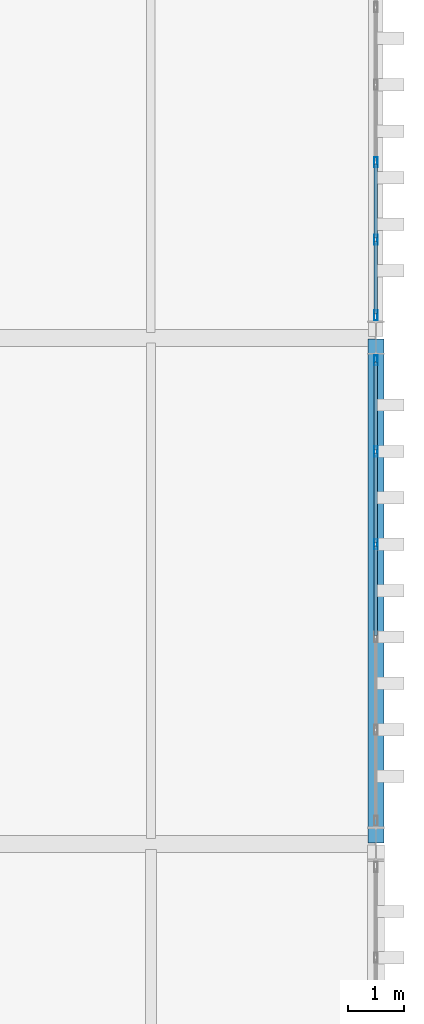
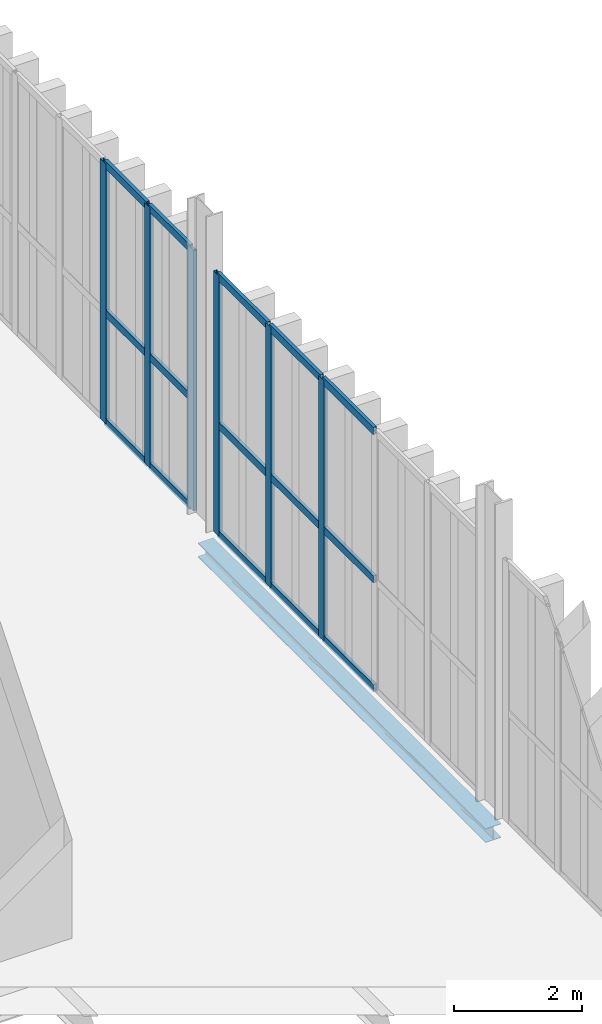
# One storey, part 102 of 211: 21 members, 1 beam, 2 elements without a shape of their own.
"""IFC4 building model written with IfcOpenShell, lengths in metres."""

from ifc_helpers import new_model, si_unit, direction, frame, origin, origin_2d, place, context, subcontext, project, spatial, hollow_rectangle, i_section, extrude, material, layer, layer_set, material_profile, profile_set, type_object, element, aggregate, save


model = new_model("IFC4")

# Units and contexts
model_context = context("Model", 3, precision=1e-05, world=origin(), true_north=direction((0.0, 1.0)))
body_context = subcontext(model_context, "Body", "Model", "MODEL_VIEW")
ifc_project = project(units=[si_unit("LENGTHUNIT", "METRE"), si_unit("AREAUNIT", "SQUARE_METRE"), si_unit("VOLUMEUNIT", "CUBIC_METRE"), si_unit("PLANEANGLEUNIT", "RADIAN"), si_unit("MASSUNIT", "GRAM", prefix="KILO")], contexts=[model_context])

# Site, building, storey
site_placement = place(None, origin())
site = spatial("IfcSite", under=ifc_project, at=site_placement, CompositionType="ELEMENT")
building_placement = place(site_placement, origin())
building = spatial("IfcBuilding", under=site, at=building_placement, Name="Barlavento Convention Centre", CompositionType="ELEMENT")
storey_placement = place(building_placement, frame((0.0, 0.0, 6.0)))
storey = spatial("IfcBuildingStorey", under=building, at=storey_placement, Name="L01", CompositionType="ELEMENT", Elevation=6.0)

# Curtain wall, members
ifc_material_1 = material(Name="Powder-coated aluminium and Low-E glass", Category="aluminium")
ifc_layer = layer(ifc_material_1, 0.195068359375)
ifc_layer_set = layer_set([ifc_layer], Name="ARC-CW-FOY-L01")
curtain_wall_type = type_object("IfcCurtainWallType", Name="ARC-CW-FOY-L01", PredefinedType="NOTDEFINED", material=ifc_layer_set)
curtain_wall_1_placement = place(storey_placement, origin())
curtain_wall_1 = element("IfcCurtainWall", 1, at=curtain_wall_1_placement, inside=storey, type_object=curtain_wall_type, Name="L01 unitised curtain wall CW03", PredefinedType="NOTDEFINED")
ifc_material_2 = material(Name="Powder-coated aluminium", Category="aluminium")
ifc_material_profile_1 = material_profile(ifc_material_2, hollow_rectangle(XDim=0.06005859375, YDim=0.179931640625, WallThickness=0.0048828125, at=origin_2d()), Name="AL-MULL 60x180x5")
ifc_profile_set_1 = profile_set([ifc_material_profile_1], Name="Powder-coated aluminium")
member_type_1 = type_object("IfcMemberType", Name="ARC-CWM-60X180", PredefinedType="MULLION", material=ifc_profile_set_1)
member_1_placement = place(storey_placement, frame((192.0, 14.330078125, 0.0), z_axis=(0.0, 0.0, 1.0), x_axis=(-1.0, 0.0, 0.0)))
member_1 = element("IfcMember", 2, at=member_1_placement, type_object=member_type_1, Name="CW03 mullion 4", PredefinedType="MULLION", context=body_context, shape_type="SweptSolid", body=[
    extrude(hollow_rectangle(XDim=0.06005859375, YDim=0.179931640625, WallThickness=0.0048828125, at=origin_2d()), origin(), (0.0, 0.0, 1.0), 4.949951171875),
])
member_2_placement = place(storey_placement, frame((192.0, 15.97998046875, 0.0), z_axis=(0.0, 0.0, 1.0), x_axis=(-1.0, 0.0, 0.0)))
member_2 = element("IfcMember", 3, at=member_2_placement, type_object=member_type_1, Name="CW03 mullion 5", PredefinedType="MULLION", context=body_context, shape_type="SweptSolid", body=[
    extrude(hollow_rectangle(XDim=0.06005859375, YDim=0.179931640625, WallThickness=0.0048828125, at=origin_2d()), origin(), (0.0, 0.0, 1.0), 4.949951171875),
])
member_3_placement = place(storey_placement, frame((192.0, 17.60009765625, 0.0), z_axis=(0.0, 0.0, 1.0), x_axis=(-1.0, 0.0, 0.0)))
member_3 = element("IfcMember", 4, at=member_3_placement, type_object=member_type_1, Name="CW03 mullion 6", PredefinedType="MULLION", context=body_context, shape_type="SweptSolid", body=[
    extrude(hollow_rectangle(XDim=0.06005859375, YDim=0.179931640625, WallThickness=0.0048828125, at=origin_2d()), origin(), (0.0, 0.0, 1.0), 4.949951171875),
])

curtain_wall_2_placement = place(storey_placement, origin())
curtain_wall_2 = element("IfcCurtainWall", 5, at=curtain_wall_2_placement, inside=storey, type_object=curtain_wall_type, Name="L01 unitised curtain wall CW03", PredefinedType="NOTDEFINED")
member_4_placement = place(storey_placement, frame((192.0, 18.39990234375, 0.0), z_axis=(0.0, 0.0, 1.0), x_axis=(-1.0, 0.0, 0.0)))
member_4 = element("IfcMember", 6, at=member_4_placement, type_object=member_type_1, Name="CW03 mullion 1", PredefinedType="MULLION", context=body_context, shape_type="SweptSolid", body=[
    extrude(hollow_rectangle(XDim=0.06005859375, YDim=0.179931640625, WallThickness=0.0048828125, at=origin_2d()), origin(), (0.0, 0.0, 1.0), 4.949951171875),
])
member_5_placement = place(storey_placement, frame((192.0, 19.74658203125, 0.0), z_axis=(0.0, 0.0, 1.0), x_axis=(-1.0, 0.0, 0.0)))
member_5 = element("IfcMember", 7, at=member_5_placement, type_object=member_type_1, Name="CW03 mullion 2", PredefinedType="MULLION", context=body_context, shape_type="SweptSolid", body=[
    extrude(hollow_rectangle(XDim=0.06005859375, YDim=0.179931640625, WallThickness=0.0048828125, at=origin_2d()), origin(), (0.0, 0.0, 1.0), 4.949951171875),
])
member_6_placement = place(storey_placement, frame((192.0, 21.123291015625, 0.0), z_axis=(0.0, 0.0, 1.0), x_axis=(-1.0, 0.0, 0.0)))
member_6 = element("IfcMember", 8, at=member_6_placement, type_object=member_type_1, Name="CW03 mullion 3", PredefinedType="MULLION", context=body_context, shape_type="SweptSolid", body=[
    extrude(hollow_rectangle(XDim=0.06005859375, YDim=0.179931640625, WallThickness=0.0048828125, at=origin_2d()), origin(), (0.0, 0.0, 1.0), 4.949951171875),
])

# Member
ifc_material_profile_2 = material_profile(ifc_material_2, hollow_rectangle(XDim=0.06005859375, YDim=0.139892578125, WallThickness=0.00390625, at=origin_2d()), Name="AL-TRAN 60x140x4")
ifc_profile_set_2 = profile_set([ifc_material_profile_2], Name="Powder-coated aluminium")
member_type_2 = type_object("IfcMemberType", Name="ARC-CWT-60X140", PredefinedType="USERDEFINED", material=ifc_profile_set_2)
member_7_placement = place(storey_placement, frame((192.0, 12.7099609375, 0.030029296875), z_axis=(0.0, 1.0, 0.0), x_axis=(-1.0, 0.0, 0.0)))
member_7 = element("IfcMember", 9, at=member_7_placement, type_object=member_type_2, Name="CW03 transom 3.1", ObjectType="TRANSOM", PredefinedType="USERDEFINED", context=body_context, shape_type="SweptSolid", body=[
    extrude(hollow_rectangle(XDim=0.06005859375, YDim=0.139892578125, WallThickness=0.00390625, at=origin_2d()), origin(), (0.0, 0.0, 1.0), 1.590087890625),
])

member_8_placement = place(storey_placement, frame((192.0, 12.7099609375, 2.10009765625), z_axis=(0.0, 1.0, 0.0), x_axis=(-1.0, 0.0, 0.0)))
member_8 = element("IfcMember", 10, at=member_8_placement, type_object=member_type_2, Name="CW03 transom 3.2", ObjectType="TRANSOM", PredefinedType="USERDEFINED", context=body_context, shape_type="SweptSolid", body=[
    extrude(hollow_rectangle(XDim=0.06005859375, YDim=0.139892578125, WallThickness=0.00390625, at=origin_2d()), origin(), (0.0, 0.0, 1.0), 1.590087890625),
])

member_9_placement = place(storey_placement, frame((192.0, 12.7099609375, 4.919921875), z_axis=(0.0, 1.0, 0.0), x_axis=(-1.0, 0.0, 0.0)))
member_9 = element("IfcMember", 11, at=member_9_placement, type_object=member_type_2, Name="CW03 transom 3.3", ObjectType="TRANSOM", PredefinedType="USERDEFINED", context=body_context, shape_type="SweptSolid", body=[
    extrude(hollow_rectangle(XDim=0.06005859375, YDim=0.139892578125, WallThickness=0.00390625, at=origin_2d()), origin(), (0.0, 0.0, 1.0), 1.590087890625),
])

member_10_placement = place(storey_placement, frame((192.0, 14.360107421875, 0.030029296875), z_axis=(0.0, 1.0, 0.0), x_axis=(-1.0, 0.0, 0.0)))
member_10 = element("IfcMember", 12, at=member_10_placement, type_object=member_type_2, Name="CW03 transom 4.1", ObjectType="TRANSOM", PredefinedType="USERDEFINED", context=body_context, shape_type="SweptSolid", body=[
    extrude(hollow_rectangle(XDim=0.06005859375, YDim=0.139892578125, WallThickness=0.00390625, at=origin_2d()), origin(), (0.0, 0.0, 1.0), 1.58984375),
])

member_11_placement = place(storey_placement, frame((192.0, 14.360107421875, 2.10009765625), z_axis=(0.0, 1.0, 0.0), x_axis=(-1.0, 0.0, 0.0)))
member_11 = element("IfcMember", 13, at=member_11_placement, type_object=member_type_2, Name="CW03 transom 4.2", ObjectType="TRANSOM", PredefinedType="USERDEFINED", context=body_context, shape_type="SweptSolid", body=[
    extrude(hollow_rectangle(XDim=0.06005859375, YDim=0.139892578125, WallThickness=0.00390625, at=origin_2d()), origin(), (0.0, 0.0, 1.0), 1.58984375),
])

member_12_placement = place(storey_placement, frame((192.0, 14.360107421875, 4.919921875), z_axis=(0.0, 1.0, 0.0), x_axis=(-1.0, 0.0, 0.0)))
member_12 = element("IfcMember", 14, at=member_12_placement, type_object=member_type_2, Name="CW03 transom 4.3", ObjectType="TRANSOM", PredefinedType="USERDEFINED", context=body_context, shape_type="SweptSolid", body=[
    extrude(hollow_rectangle(XDim=0.06005859375, YDim=0.139892578125, WallThickness=0.00390625, at=origin_2d()), origin(), (0.0, 0.0, 1.0), 1.58984375),
])

member_13_placement = place(storey_placement, frame((192.0, 16.010009765625, 0.030029296875), z_axis=(0.0, 1.0, 0.0), x_axis=(-1.0, 0.0, 0.0)))
member_13 = element("IfcMember", 15, at=member_13_placement, type_object=member_type_2, Name="CW03 transom 5.1", ObjectType="TRANSOM", PredefinedType="USERDEFINED", context=body_context, shape_type="SweptSolid", body=[
    extrude(hollow_rectangle(XDim=0.06005859375, YDim=0.139892578125, WallThickness=0.00390625, at=origin_2d()), origin(), (0.0, 0.0, 1.0), 1.56005859375),
])

member_14_placement = place(storey_placement, frame((192.0, 16.010009765625, 2.10009765625), z_axis=(0.0, 1.0, 0.0), x_axis=(-1.0, 0.0, 0.0)))
member_14 = element("IfcMember", 16, at=member_14_placement, type_object=member_type_2, Name="CW03 transom 5.2", ObjectType="TRANSOM", PredefinedType="USERDEFINED", context=body_context, shape_type="SweptSolid", body=[
    extrude(hollow_rectangle(XDim=0.06005859375, YDim=0.139892578125, WallThickness=0.00390625, at=origin_2d()), origin(), (0.0, 0.0, 1.0), 1.56005859375),
])

member_15_placement = place(storey_placement, frame((192.0, 16.010009765625, 4.919921875), z_axis=(0.0, 1.0, 0.0), x_axis=(-1.0, 0.0, 0.0)))
member_15 = element("IfcMember", 17, at=member_15_placement, type_object=member_type_2, Name="CW03 transom 5.3", ObjectType="TRANSOM", PredefinedType="USERDEFINED", context=body_context, shape_type="SweptSolid", body=[
    extrude(hollow_rectangle(XDim=0.06005859375, YDim=0.139892578125, WallThickness=0.00390625, at=origin_2d()), origin(), (0.0, 0.0, 1.0), 1.56005859375),
])

aggregate(curtain_wall_1, [member_1, member_2, member_3, member_7, member_8, member_9, member_10, member_11, member_12, member_13, member_14, member_15])

member_16_placement = place(storey_placement, frame((192.0, 18.429931640625, 0.030029296875), z_axis=(0.0, 1.0, 0.0), x_axis=(-1.0, 0.0, 0.0)))
member_16 = element("IfcMember", 18, at=member_16_placement, type_object=member_type_2, Name="CW03 transom 1.1", ObjectType="TRANSOM", PredefinedType="USERDEFINED", context=body_context, shape_type="SweptSolid", body=[
    extrude(hollow_rectangle(XDim=0.06005859375, YDim=0.139892578125, WallThickness=0.00390625, at=origin_2d()), origin(), (0.0, 0.0, 1.0), 1.28662109375),
])

member_17_placement = place(storey_placement, frame((192.0, 18.429931640625, 2.10009765625), z_axis=(0.0, 1.0, 0.0), x_axis=(-1.0, 0.0, 0.0)))
member_17 = element("IfcMember", 19, at=member_17_placement, type_object=member_type_2, Name="CW03 transom 1.2", ObjectType="TRANSOM", PredefinedType="USERDEFINED", context=body_context, shape_type="SweptSolid", body=[
    extrude(hollow_rectangle(XDim=0.06005859375, YDim=0.139892578125, WallThickness=0.00390625, at=origin_2d()), origin(), (0.0, 0.0, 1.0), 1.28662109375),
])

member_18_placement = place(storey_placement, frame((192.0, 18.429931640625, 4.919921875), z_axis=(0.0, 1.0, 0.0), x_axis=(-1.0, 0.0, 0.0)))
member_18 = element("IfcMember", 20, at=member_18_placement, type_object=member_type_2, Name="CW03 transom 1.3", ObjectType="TRANSOM", PredefinedType="USERDEFINED", context=body_context, shape_type="SweptSolid", body=[
    extrude(hollow_rectangle(XDim=0.06005859375, YDim=0.139892578125, WallThickness=0.00390625, at=origin_2d()), origin(), (0.0, 0.0, 1.0), 1.28662109375),
])

member_19_placement = place(storey_placement, frame((192.0, 19.776611328125, 0.030029296875), z_axis=(0.0, 1.0, 0.0), x_axis=(-1.0, 0.0, 0.0)))
member_19 = element("IfcMember", 21, at=member_19_placement, type_object=member_type_2, Name="CW03 transom 2.1", ObjectType="TRANSOM", PredefinedType="USERDEFINED", context=body_context, shape_type="SweptSolid", body=[
    extrude(hollow_rectangle(XDim=0.06005859375, YDim=0.139892578125, WallThickness=0.00390625, at=origin_2d()), origin(), (0.0, 0.0, 1.0), 1.316650390625),
])

member_20_placement = place(storey_placement, frame((192.0, 19.776611328125, 2.10009765625), z_axis=(0.0, 1.0, 0.0), x_axis=(-1.0, 0.0, 0.0)))
member_20 = element("IfcMember", 22, at=member_20_placement, type_object=member_type_2, Name="CW03 transom 2.2", ObjectType="TRANSOM", PredefinedType="USERDEFINED", context=body_context, shape_type="SweptSolid", body=[
    extrude(hollow_rectangle(XDim=0.06005859375, YDim=0.139892578125, WallThickness=0.00390625, at=origin_2d()), origin(), (0.0, 0.0, 1.0), 1.316650390625),
])

member_21_placement = place(storey_placement, frame((192.0, 19.776611328125, 4.919921875), z_axis=(0.0, 1.0, 0.0), x_axis=(-1.0, 0.0, 0.0)))
member_21 = element("IfcMember", 23, at=member_21_placement, type_object=member_type_2, Name="CW03 transom 2.3", ObjectType="TRANSOM", PredefinedType="USERDEFINED", context=body_context, shape_type="SweptSolid", body=[
    extrude(hollow_rectangle(XDim=0.06005859375, YDim=0.139892578125, WallThickness=0.00390625, at=origin_2d()), origin(), (0.0, 0.0, 1.0), 1.316650390625),
])

aggregate(curtain_wall_2, [member_4, member_5, member_6, member_16, member_17, member_18, member_19, member_20, member_21])

# Beam
ifc_material_3 = material(Name="Steel S355", Category="steel")
ifc_material_profile_3 = material_profile(ifc_material_3, i_section(OverallWidth=0.280029296875, OverallDepth=0.27001953125, WebThickness=0.008056640625, FlangeThickness=0.012939453125, FilletRadius=0.02392578125, at=origin_2d()), Name="HEA 280")
ifc_profile_set_3 = profile_set([ifc_material_profile_3], Name="Steel S355")
beam_type = type_object("IfcBeamType", Name="STR-BM-SPN-HEA280", PredefinedType="SPANDREL", material=ifc_profile_set_3)
beam_placement = place(storey_placement, frame((192.0, 9.02001953125, -0.4951171875), z_axis=(0.0, 1.0, 0.0), x_axis=(-1.0, 0.0, 0.0)))
element("IfcBeam", 24, at=beam_placement, inside=storey, type_object=beam_type, Name="L01 grid girder SP03", PredefinedType="SPANDREL", context=body_context, shape_type="SweptSolid", body=[
    extrude(i_section(OverallWidth=0.280029296875, OverallDepth=0.27001953125, WebThickness=0.008056640625, FlangeThickness=0.012939453125, FilletRadius=0.02392578125, at=origin_2d()), origin(), (0.0, 0.0, 1.0), 8.9599609375),
])

save(model, "model.ifc")
